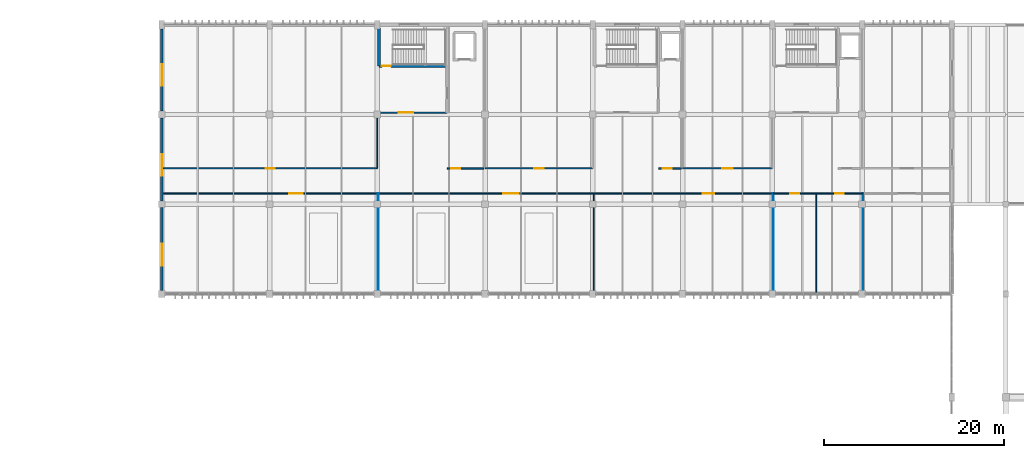
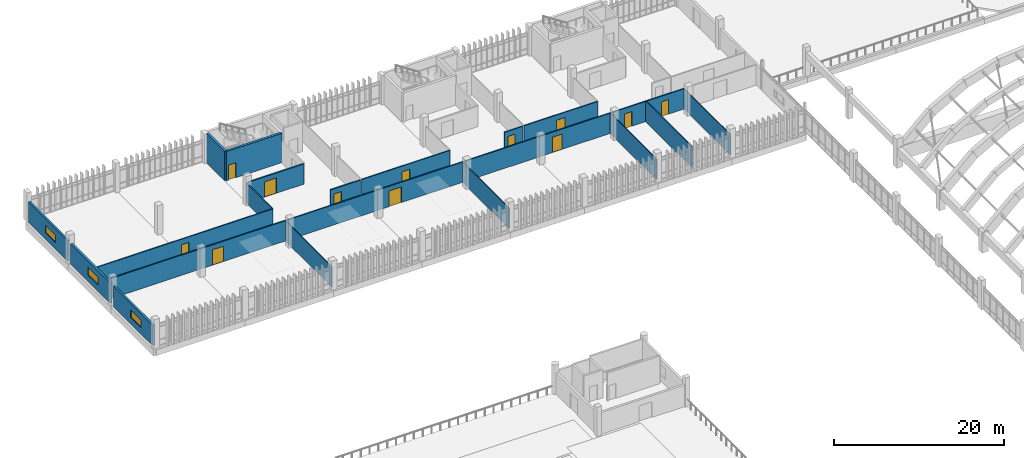
# One storey, part 104 of 111: 22 walls, 12 doors, 3 windows, 15 openings.
"""IFC4 building model written with IfcOpenShell, lengths in metres."""

import ifcopenshell
import ifcopenshell.guid

model = None  # the IFC model being written
_history = None  # IfcOwnerHistory: only IFC2X3 demands one
_inside = {}  # id of a spatial element -> (the spatial element, [elements in it])
_under = {}  # id of a project, library or spatial element -> (it, [spatial elements below it])
_declared = {}  # id of a project -> (the project, [libraries it declares])
_typed = {}  # id of a type object -> (the type object, [elements of that type])
_made_of = {}  # id of a material, layer set ... -> (it, [elements and type objects made of it])


def new_model(schema):
    """Start an empty IFC model of exactly this schema.

    Asked for "IFC4X3", IfcOpenShell would pick the latest addendum, in which some entities
    have other attributes; the version numbers below select the first issue.
    IFC2X3 requires an IfcOwnerHistory on every rooted entity: one is made here for all.
    """
    global model, _history
    if schema == "IFC4X3":
        model = ifcopenshell.file(schema_version=(4, 3, 0, 0))
    else:
        model = ifcopenshell.file(schema=schema)
    _inside.clear()
    _under.clear()
    _declared.clear()
    _typed.clear()
    _made_of.clear()
    _history = None
    if model.schema == "IFC2X3":
        org = make("IfcOrganization", Name="unknown")
        user = make(
            "IfcPersonAndOrganization",
            ThePerson=make("IfcPerson", FamilyName="unknown"),
            TheOrganization=org,
        )
        app = make(
            "IfcApplication",
            ApplicationDeveloper=org,
            Version="unknown",
            ApplicationFullName="unknown",
            ApplicationIdentifier="unknown",
        )
        _history = make(
            "IfcOwnerHistory",
            OwningUser=user,
            OwningApplication=app,
            ChangeAction="ADDED",
            CreationDate=0,
        )
    return model


def make(cls, **values):
    """One entity of the class cls with the attributes given. An attribute that is None is left unset."""
    return model.create_entity(
        cls, **{name: value for name, value in values.items() if value is not None}
    )


def rooted(cls, **values):
    """An entity with a GlobalId (a new one), such as an element, a storey or a relation."""
    return make(cls, GlobalId=ifcopenshell.guid.new(), OwnerHistory=_history, **values)


def si_unit(unit_type, name, prefix=None):
    """IfcSIUnit, for example si_unit("LENGTHUNIT", "METRE", prefix="MILLI")."""
    return make("IfcSIUnit", UnitType=unit_type, Prefix=prefix, Name=name)


def assignment(units):
    """IfcUnitAssignment: the units of a project."""
    return None if units is None else make("IfcUnitAssignment", Units=units)


def point(xyz):
    """IfcCartesianPoint."""
    return None if xyz is None else make("IfcCartesianPoint", Coordinates=xyz)


def direction(xyz):
    """IfcDirection."""
    return None if xyz is None else make("IfcDirection", DirectionRatios=xyz)


def frame(location, z_axis=None, x_axis=None):
    """IfcAxis2Placement3D, a coordinate frame: its origin and axes. An axis left out is left unset."""
    return make(
        "IfcAxis2Placement3D",
        Location=point(location),
        Axis=direction(z_axis),
        RefDirection=direction(x_axis),
    )


def frame_2d(location, x_axis=None):
    """IfcAxis2Placement2D, a coordinate frame in the plane: its origin and x axis."""
    return make(
        "IfcAxis2Placement2D", Location=point(location), RefDirection=direction(x_axis)
    )


def origin():
    """The frame at (0, 0, 0) with its axes left unset."""
    return frame((0.0, 0.0, 0.0))


def place(relative_to, where):
    """IfcLocalPlacement: puts the frame where relative to a parent placement (None: the world)."""
    return make(
        "IfcLocalPlacement", PlacementRelTo=relative_to, RelativePlacement=where
    )


def context(
    kind, dimensions, precision=None, world=None, true_north=None, identifier=None
):
    """IfcGeometricRepresentationContext, for example the 3D "Model" context."""
    return make(
        "IfcGeometricRepresentationContext",
        ContextIdentifier=identifier,
        ContextType=kind,
        CoordinateSpaceDimension=dimensions,
        Precision=precision,
        WorldCoordinateSystem=world,
        TrueNorth=true_north,
    )


def subcontext(parent, identifier, kind, view, scale=None):
    """IfcGeometricRepresentationSubContext, for example "Body" below "Model"."""
    return make(
        "IfcGeometricRepresentationSubContext",
        ContextIdentifier=identifier,
        ContextType=kind,
        ParentContext=parent,
        TargetScale=scale,
        TargetView=view,
    )


def project(units=None, contexts=None):
    """IfcProject with its units and contexts."""
    return rooted(
        "IfcProject",
        Name="project",
        RepresentationContexts=contexts,
        UnitsInContext=assignment(units),
    )


def spatial(cls, under=None, at=None, **own):
    """A site, building, storey or space (cls), placed at a placement, below another one or the project."""
    s = rooted(cls, ObjectPlacement=at, **own)
    if under is not None:
        _under.setdefault(under.id(), (under, []))[1].append(s)
    return s


def profile(cls, at=None, kind="AREA", **sizes):
    """A parametric profile (cls). Its sizes go by their IFC names, for example OverallWidth=200.0."""
    return make(cls, ProfileType=kind, Position=at, **sizes)


def rectangle(**sizes):
    """IfcRectangleProfileDef."""
    return profile("IfcRectangleProfileDef", **sizes)


def extrude(swept, where, along, depth):
    """IfcExtrudedAreaSolid: the profile swept, set in the frame where, extruded along a direction by depth."""
    return make(
        "IfcExtrudedAreaSolid",
        SweptArea=swept,
        Position=where,
        ExtrudedDirection=direction(along),
        Depth=depth,
    )


def shape(context_of_items, identifier, shape_type, items):
    """IfcShapeRepresentation: the items that make up one representation, for example the "Body"."""
    return make(
        "IfcShapeRepresentation",
        ContextOfItems=context_of_items,
        RepresentationIdentifier=identifier,
        RepresentationType=shape_type,
        Items=items,
    )


def material(Name=None, Category=None):
    """IfcMaterial."""
    return make("IfcMaterial", Name=Name, Category=Category)


def layer(
    of_material, thickness, ventilated=None, Name=None, Category=None, Priority=None
):
    """IfcMaterialLayer: one layer of a wall or slab, of a material (None: an air gap)."""
    return make(
        "IfcMaterialLayer",
        Material=of_material,
        LayerThickness=thickness,
        IsVentilated=ventilated,
        Name=Name,
        Category=Category,
        Priority=Priority,
    )


def layer_set(layers, Name=None):
    """IfcMaterialLayerSet."""
    return make("IfcMaterialLayerSet", MaterialLayers=layers, LayerSetName=Name)


def made_of(thing, what):
    """Note that an element or type object is made of a material, layer set ...; save() writes the relation."""
    if what is not None:
        _made_of.setdefault(what.id(), (what, []))[1].append(thing)
    return thing


def type_object(cls, material=None, **own):
    """A type object (cls), such as IfcWallType, which elements share."""
    return made_of(rooted(cls, **own), material)


def element(
    cls,
    number,
    at=None,
    inside=None,
    cuts=None,
    type_object=None,
    material=None,
    context=None,
    identifier="Body",
    shape_type=None,
    held_by="IfcProductDefinitionShape",
    body=None,
    shapes=None,
    **own,
):
    """One element of the class cls, such as IfcWall. Its Tag is "e" and its number.

    at: its placement. inside: the storey or other place that contains it. cuts: it is an
    opening in that element (IfcRelVoidsElement). A single representation is given by context,
    identifier, shape_type and body (its items); several are given by shapes. held_by: the class
    of the entity that holds the representations. save() writes the other relations.
    """
    e = rooted(cls, Tag="e%d" % number, ObjectPlacement=at, **own)
    if body is not None:
        shapes = [shape(context, identifier, shape_type, body)]
    if shapes is not None:
        e.Representation = make(held_by, Representations=shapes)
    if inside is not None:
        _inside.setdefault(inside.id(), (inside, []))[1].append(e)
    if cuts is not None:
        rooted(
            "IfcRelVoidsElement", RelatingBuildingElement=cuts, RelatedOpeningElement=e
        )
    if type_object is not None:
        _typed.setdefault(type_object.id(), (type_object, []))[1].append(e)
    return made_of(e, material)


def fill(opening, filler):
    """IfcRelFillsElement: the door or window that sits in an opening."""
    return rooted(
        "IfcRelFillsElement",
        RelatingOpeningElement=opening,
        RelatedBuildingElement=filler,
    )


def aggregate(whole, parts):
    """IfcRelAggregates: a whole, such as a stair, and the parts it consists of."""
    return rooted("IfcRelAggregates", RelatingObject=whole, RelatedObjects=parts)


def save(model, path):
    """Write the relations noted so far, then the file.

    IfcRelAggregates (storeys below a building ...), IfcRelContainedInSpatialStructure (elements
    in a storey), IfcRelDefinesByType, IfcRelAssociatesMaterial and IfcRelDeclares: one each for
    every whole, place, type object, material and project.
    """
    for whole, parts in _under.values():
        aggregate(whole, parts)
    for where, things in _inside.values():
        rooted(
            "IfcRelContainedInSpatialStructure",
            RelatedElements=things,
            RelatingStructure=where,
        )
    for kind, things in _typed.values():
        rooted("IfcRelDefinesByType", RelatedObjects=things, RelatingType=kind)
    for what, things in _made_of.values():
        rooted("IfcRelAssociatesMaterial", RelatedObjects=things, RelatingMaterial=what)
    for by, libraries in _declared.values():
        rooted("IfcRelDeclares", RelatingContext=by, RelatedDefinitions=libraries)
    model.write(path)


model = new_model("IFC4")

# Units and contexts
model_context = context("Model", 3, precision=1e-05, world=origin(), true_north=direction((0.0, 1.0)))
body_context = subcontext(model_context, "Body", "Model", "MODEL_VIEW")
ifc_project = project(units=[si_unit("LENGTHUNIT", "METRE"), si_unit("AREAUNIT", "SQUARE_METRE"), si_unit("VOLUMEUNIT", "CUBIC_METRE"), si_unit("PLANEANGLEUNIT", "RADIAN"), si_unit("MASSUNIT", "GRAM", prefix="KILO")], contexts=[model_context])

# Site, building, storey
site_placement = place(None, origin())
site = spatial("IfcSite", under=ifc_project, at=site_placement, CompositionType="ELEMENT")
building_placement = place(site_placement, origin())
building = spatial("IfcBuilding", under=site, at=building_placement, Name="Mersad Railyard Sports Hall", CompositionType="ELEMENT")
storey_placement = place(building_placement, frame((0.0, 0.0, 9.0)))
storey = spatial("IfcBuildingStorey", under=building, at=storey_placement, Name="L02", CompositionType="ELEMENT", Elevation=9.0)

# Wall, opening, window
ifc_material_1 = material(Name="Precast concrete C45/55", Category="concrete")
ifc_layer_1 = layer(ifc_material_1, 0.280029296875)
ifc_layer_set_1 = layer_set([ifc_layer_1], Name="Precast concrete C45/55")
wall_type_1 = type_object("IfcWallType", Name="ARC-WL-EW03", PredefinedType="SOLIDWALL", material=ifc_layer_set_1)
wall_1_placement = place(storey_placement, frame((43.0, 85.375, 0.0), z_axis=(0.0, 0.0, 1.0), x_axis=(0.0, 1.0, 0.0)))
wall_1 = element("IfcWall", 1, at=wall_1_placement, inside=storey, type_object=wall_type_1, Name="External wall EW03-0123", PredefinedType="SOLIDWALL", context=body_context, shape_type="SweptSolid", body=[
    extrude(rectangle(XDim=9.25, YDim=0.280029296875, at=frame_2d((4.625, 0.0))), origin(), (0.0, 0.0, 1.0), 2.905029296875),
])
opening_1_placement = place(wall_1_placement, frame((2.800048828125, 0.0, 0.89990234375)))
opening_1 = element("IfcOpeningElement", 2, at=opening_1_placement, cuts=wall_1, Name="Opening W23", PredefinedType="OPENING", context=body_context, shape_type="SweptSolid", body=[
    extrude(rectangle(XDim=2.39990234375, YDim=1.10009765625, at=frame_2d((1.199951171875, 0.550048828125))), frame((0.0, 0.14990234375, 0.0), z_axis=(0.0, -1.0, 0.0), x_axis=(1.0, 0.0, 0.0)), (0.0, 0.0, 1.0), 0.300048828125),
])
ifc_material_2 = material(Name="Solar-control glass", Category="glass")
window_type = type_object("IfcWindowType", Name="ARC-WN-W23", PartitioningType="DOUBLE_PANEL_VERTICAL", PredefinedType="WINDOW", material=ifc_material_2)
window_1_placement = place(opening_1_placement, origin())
window_1 = element("IfcWindow", 3, at=window_1_placement, inside=storey, type_object=window_type, Name="Window W23-0040", OverallHeight=1.10009765625, OverallWidth=2.39990234375, PartitioningType="DOUBLE_PANEL_VERTICAL", PredefinedType="WINDOW", context=body_context, shape_type="SweptSolid", body=[
    extrude(rectangle(XDim=2.39990234375, YDim=1.10009765625, at=frame_2d((1.199951171875, 0.550048828125))), frame((0.0, 0.030029296875, 0.0), z_axis=(0.0, -1.0, 0.0), x_axis=(1.0, 0.0, 0.0)), (0.0, 0.0, 1.0), 0.06005859375),
])
fill(opening_1, window_1)

wall_2_placement = place(storey_placement, frame((43.0, 95.375, 0.0), z_axis=(0.0, 0.0, 1.0), x_axis=(0.0, 1.0, 0.0)))
wall_2 = element("IfcWall", 4, at=wall_2_placement, inside=storey, type_object=wall_type_1, Name="External wall EW03-0124", PredefinedType="SOLIDWALL", context=body_context, shape_type="SweptSolid", body=[
    extrude(rectangle(XDim=9.25, YDim=0.280029296875, at=frame_2d((4.625, 0.0))), origin(), (0.0, 0.0, 1.0), 2.905029296875),
])
opening_2_placement = place(wall_2_placement, frame((2.800048828125, 0.0, 0.89990234375)))
opening_2 = element("IfcOpeningElement", 5, at=opening_2_placement, cuts=wall_2, Name="Opening W23", PredefinedType="OPENING", context=body_context, shape_type="SweptSolid", body=[
    extrude(rectangle(XDim=2.39990234375, YDim=1.10009765625, at=frame_2d((1.199951171875, 0.550048828125))), frame((0.0, 0.14990234375, 0.0), z_axis=(0.0, -1.0, 0.0), x_axis=(1.0, 0.0, 0.0)), (0.0, 0.0, 1.0), 0.300048828125),
])
window_2_placement = place(opening_2_placement, origin())
window_2 = element("IfcWindow", 6, at=window_2_placement, inside=storey, type_object=window_type, Name="Window W23-0041", OverallHeight=1.10009765625, OverallWidth=2.39990234375, PartitioningType="DOUBLE_PANEL_VERTICAL", PredefinedType="WINDOW", context=body_context, shape_type="SweptSolid", body=[
    extrude(rectangle(XDim=2.39990234375, YDim=1.10009765625, at=frame_2d((1.199951171875, 0.550048828125))), frame((0.0, 0.030029296875, 0.0), z_axis=(0.0, -1.0, 0.0), x_axis=(1.0, 0.0, 0.0)), (0.0, 0.0, 1.0), 0.06005859375),
])
fill(opening_2, window_2)

wall_3_placement = place(storey_placement, frame((43.0, 105.375, 0.0), z_axis=(0.0, 0.0, 1.0), x_axis=(0.0, 1.0, 0.0)))
wall_3 = element("IfcWall", 7, at=wall_3_placement, inside=storey, type_object=wall_type_1, Name="External wall EW03-0125", PredefinedType="SOLIDWALL", context=body_context, shape_type="SweptSolid", body=[
    extrude(rectangle(XDim=9.175048828125, YDim=0.280029296875, at=frame_2d((4.58740234375, 0.0))), origin(), (0.0, 0.0, 1.0), 2.905029296875),
])
opening_3_placement = place(wall_3_placement, frame((2.800048828125, 0.0, 0.89990234375)))
opening_3 = element("IfcOpeningElement", 8, at=opening_3_placement, cuts=wall_3, Name="Opening W23", PredefinedType="OPENING", context=body_context, shape_type="SweptSolid", body=[
    extrude(rectangle(XDim=2.39990234375, YDim=1.10009765625, at=frame_2d((1.199951171875, 0.550048828125))), frame((0.0, 0.14990234375, 0.0), z_axis=(0.0, -1.0, 0.0), x_axis=(1.0, 0.0, 0.0)), (0.0, 0.0, 1.0), 0.300048828125),
])
window_3_placement = place(opening_3_placement, origin())
window_3 = element("IfcWindow", 9, at=window_3_placement, inside=storey, type_object=window_type, Name="Window W23-0042", OverallHeight=1.10009765625, OverallWidth=2.39990234375, PartitioningType="DOUBLE_PANEL_VERTICAL", PredefinedType="WINDOW", context=body_context, shape_type="SweptSolid", body=[
    extrude(rectangle(XDim=2.39990234375, YDim=1.10009765625, at=frame_2d((1.199951171875, 0.550048828125))), frame((0.0, 0.030029296875, 0.0), z_axis=(0.0, -1.0, 0.0), x_axis=(1.0, 0.0, 0.0)), (0.0, 0.0, 1.0), 0.06005859375),
])
fill(opening_3, window_3)

# Wall, opening, door
ifc_layer_2 = layer(ifc_material_1, 0.199951171875)
ifc_layer_set_2 = layer_set([ifc_layer_2], Name="Precast concrete C45/55")
wall_type_2 = type_object("IfcWallType", Name="ARC-WL-PT01", PredefinedType="PARTITIONING", material=ifc_layer_set_2)
wall_4_placement = place(storey_placement, frame((67.199951171875, 105.199951171875, 0.0), z_axis=(0.0, 0.0, 1.0), x_axis=(1.0, 0.0, 0.0)))
wall_4 = element("IfcWall", 10, at=wall_4_placement, inside=storey, type_object=wall_type_2, Name="Interior wall PT01-0172", PredefinedType="PARTITIONING", context=body_context, shape_type="SweptSolid", body=[
    extrude(rectangle(XDim=7.550048828125, YDim=0.199951171875, at=frame_2d((3.77490234375, 0.0))), origin(), (0.0, 0.0, 1.0), 2.905029296875),
])
opening_4_placement = place(wall_4_placement, frame((2.199951171875, 0.0, 0.0)))
opening_4 = element("IfcOpeningElement", 11, at=opening_4_placement, cuts=wall_4, Name="Opening FD04", PredefinedType="OPENING", context=body_context, shape_type="SweptSolid", body=[
    extrude(rectangle(XDim=1.60009765625, YDim=2.199951171875, at=frame_2d((0.800048828125, 1.10009765625))), frame((0.0, 0.10986328125, 0.0), z_axis=(0.0, -1.0, 0.0), x_axis=(1.0, 0.0, 0.0)), (0.0, 0.0, 1.0), 0.219970703125),
])
ifc_material_3 = material(Name="Steel S355", Category="steel")
door_type_1 = type_object("IfcDoorType", Name="ARC-DR-FD04", OperationType="NOTDEFINED", PredefinedType="DOOR", material=ifc_material_3)
door_1_placement = place(opening_4_placement, origin())
door_1 = element("IfcDoor", 12, at=door_1_placement, inside=storey, type_object=door_type_1, Name="C1 firefighting lobby door FD04-0054", OperationType="DOUBLE_DOOR_SINGLE_SWING", OverallHeight=2.199951171875, OverallWidth=1.60009765625, PredefinedType="DOOR", context=body_context, shape_type="SweptSolid", body=[
    extrude(rectangle(XDim=1.60009765625, YDim=2.199951171875, at=frame_2d((0.800048828125, 1.10009765625))), frame((0.0, 0.02490234375, 0.0), z_axis=(0.0, -1.0, 0.0), x_axis=(1.0, 0.0, 0.0)), (0.0, 0.0, 1.0), 0.050048828125),
])
fill(opening_4, door_1)

ifc_material_4 = material(Name="Gypsum plasterboard", Category="gypsum")
ifc_layer_3 = layer(ifc_material_4, 0.159912109375)
ifc_layer_set_3 = layer_set([ifc_layer_3], Name="Gypsum plasterboard")
wall_type_3 = type_object("IfcWallType", Name="ARC-WL-PT02", PredefinedType="PARTITIONING", material=ifc_layer_set_3)
wall_5_placement = place(storey_placement, frame((74.800048828125, 99.0, 0.0), z_axis=(0.0, 0.0, 1.0), x_axis=(1.0, 0.0, 0.0)))
wall_5 = element("IfcWall", 13, at=wall_5_placement, inside=storey, type_object=wall_type_3, Name="Interior wall PT02-0174", PredefinedType="PARTITIONING", context=body_context, shape_type="SweptSolid", body=[
    extrude(rectangle(XDim=4.050048828125, YDim=0.159912109375, at=frame_2d((2.02490234375, 0.0))), origin(), (0.0, 0.0, 1.0), 2.905029296875),
])
opening_5_placement = place(wall_5_placement, frame((0.449951171875, 0.0, 0.0)))
opening_5 = element("IfcOpeningElement", 14, at=opening_5_placement, cuts=wall_5, Name="Opening FD02", PredefinedType="OPENING", context=body_context, shape_type="SweptSolid", body=[
    extrude(rectangle(XDim=1.0, YDim=2.14990234375, at=frame_2d((0.5, 1.074951171875))), frame((0.0, 0.08984375, 0.0), z_axis=(0.0, -1.0, 0.0), x_axis=(1.0, 0.0, 0.0)), (0.0, 0.0, 1.0), 0.179931640625),
])
door_type_2 = type_object("IfcDoorType", Name="ARC-DR-FD02", OperationType="NOTDEFINED", PredefinedType="DOOR", material=ifc_material_3)
door_2_placement = place(opening_5_placement, origin())
door_2 = element("IfcDoor", 15, at=door_2_placement, inside=storey, type_object=door_type_2, Name="C1 lift lobby corridor door FD02-0056", OperationType="SINGLE_SWING_RIGHT", OverallHeight=2.14990234375, OverallWidth=1.0, PredefinedType="DOOR", context=body_context, shape_type="SweptSolid", body=[
    extrude(rectangle(XDim=1.0, YDim=2.14990234375, at=frame_2d((0.5, 1.074951171875))), frame((0.0, 0.02490234375, 0.0), z_axis=(0.0, -1.0, 0.0), x_axis=(1.0, 0.0, 0.0)), (0.0, 0.0, 1.0), 0.050048828125),
])
fill(opening_5, door_2)

wall_6_placement = place(storey_placement, frame((98.35009765625, 99.0, 0.0), z_axis=(0.0, 0.0, 1.0), x_axis=(1.0, 0.0, 0.0)))
wall_6 = element("IfcWall", 16, at=wall_6_placement, inside=storey, type_object=wall_type_3, Name="Interior wall PT02-0216", PredefinedType="PARTITIONING", context=body_context, shape_type="SweptSolid", body=[
    extrude(rectangle(XDim=2.5, YDim=0.159912109375, at=frame_2d((1.25, 0.0))), origin(), (0.0, 0.0, 1.0), 2.905029296875),
])
opening_6_placement = place(wall_6_placement, frame((0.449951171875, 0.0, 0.0)))
opening_6 = element("IfcOpeningElement", 17, at=opening_6_placement, cuts=wall_6, Name="Opening FD02", PredefinedType="OPENING", context=body_context, shape_type="SweptSolid", body=[
    extrude(rectangle(XDim=1.0, YDim=2.14990234375, at=frame_2d((0.5, 1.074951171875))), frame((0.0, 0.08984375, 0.0), z_axis=(0.0, -1.0, 0.0), x_axis=(1.0, 0.0, 0.0)), (0.0, 0.0, 1.0), 0.179931640625),
])
door_3_placement = place(opening_6_placement, origin())
door_3 = element("IfcDoor", 18, at=door_3_placement, inside=storey, type_object=door_type_2, Name="C2 lift lobby corridor door FD02-0084", OperationType="SINGLE_SWING_LEFT", OverallHeight=2.14990234375, OverallWidth=1.0, PredefinedType="DOOR", context=body_context, shape_type="SweptSolid", body=[
    extrude(rectangle(XDim=1.0, YDim=2.14990234375, at=frame_2d((0.5, 1.074951171875))), frame((0.0, 0.02490234375, 0.0), z_axis=(0.0, -1.0, 0.0), x_axis=(1.0, 0.0, 0.0)), (0.0, 0.0, 1.0), 0.050048828125),
])
fill(opening_6, door_3)

wall_7_placement = place(storey_placement, frame((43.179931640625, 96.199951171875, 0.0), z_axis=(0.0, 0.0, 1.0), x_axis=(1.0, 0.0, 0.0)))
wall_7 = element("IfcWall", 19, at=wall_7_placement, inside=storey, type_object=wall_type_3, Name="Interior wall PT02-0456", PredefinedType="PARTITIONING", context=body_context, shape_type="SweptSolid", body=[
    extrude(rectangle(XDim=23.920166015625, YDim=0.159912109375, at=frame_2d((11.9599609375, 0.0))), origin(), (0.0, 0.0, 1.0), 2.905029296875),
])
opening_7_placement = place(wall_7_placement, frame((14.010009765625, 0.0, 0.0)))
opening_7 = element("IfcOpeningElement", 20, at=opening_7_placement, cuts=wall_7, Name="Opening FD10", PredefinedType="OPENING", context=body_context, shape_type="SweptSolid", body=[
    extrude(rectangle(XDim=1.5, YDim=2.199951171875, at=frame_2d((0.75, 1.10009765625))), frame((0.0, 0.08984375, 0.0), z_axis=(0.0, -1.0, 0.0), x_axis=(1.0, 0.0, 0.0)), (0.0, 0.0, 1.0), 0.179931640625),
])
door_type_3 = type_object("IfcDoorType", Name="ARC-DR-FD10", OperationType="NOTDEFINED", PredefinedType="DOOR", material=ifc_material_3)
door_4_placement = place(opening_7_placement, origin())
door_4 = element("IfcDoor", 21, at=door_4_placement, inside=storey, type_object=door_type_3, Name="L02 south room door FD10-0204", OperationType="DOUBLE_DOOR_SINGLE_SWING", OverallHeight=2.199951171875, OverallWidth=1.5, PredefinedType="DOOR", context=body_context, shape_type="SweptSolid", body=[
    extrude(rectangle(XDim=1.5, YDim=2.199951171875, at=frame_2d((0.75, 1.10009765625))), frame((0.0, 0.02490234375, 0.0), z_axis=(0.0, -1.0, 0.0), x_axis=(1.0, 0.0, 0.0)), (0.0, 0.0, 1.0), 0.050048828125),
])
fill(opening_7, door_4)

wall_8_placement = place(storey_placement, frame((67.10009765625, 96.199951171875, 0.0), z_axis=(0.0, 0.0, 1.0), x_axis=(1.0, 0.0, 0.0)))
wall_8 = element("IfcWall", 22, at=wall_8_placement, inside=storey, type_object=wall_type_3, Name="Interior wall PT02-0457", PredefinedType="PARTITIONING", context=body_context, shape_type="SweptSolid", body=[
    extrude(rectangle(XDim=24.0, YDim=0.159912109375, at=frame_2d((12.0, 0.0))), origin(), (0.0, 0.0, 1.0), 2.905029296875),
])
opening_8_placement = place(wall_8_placement, frame((13.949951171875, 0.0, 0.0)))
opening_8 = element("IfcOpeningElement", 23, at=opening_8_placement, cuts=wall_8, Name="Opening FD11", PredefinedType="OPENING", context=body_context, shape_type="SweptSolid", body=[
    extrude(rectangle(XDim=1.699951171875, YDim=2.25, at=frame_2d((0.85009765625, 1.125))), frame((0.0, 0.08984375, 0.0), z_axis=(0.0, -1.0, 0.0), x_axis=(1.0, 0.0, 0.0)), (0.0, 0.0, 1.0), 0.179931640625),
])
door_type_4 = type_object("IfcDoorType", Name="ARC-DR-FD11", OperationType="NOTDEFINED", PredefinedType="DOOR", material=ifc_material_3)
door_5_placement = place(opening_8_placement, origin())
door_5 = element("IfcDoor", 24, at=door_5_placement, inside=storey, type_object=door_type_4, Name="L02 south room door FD11-0205", OperationType="DOUBLE_DOOR_SINGLE_SWING", OverallHeight=2.25, OverallWidth=1.699951171875, PredefinedType="DOOR", context=body_context, shape_type="SweptSolid", body=[
    extrude(rectangle(XDim=1.699951171875, YDim=2.25, at=frame_2d((0.85009765625, 1.125))), frame((0.0, 0.02490234375, 0.0), z_axis=(0.0, -1.0, 0.0), x_axis=(1.0, 0.0, 0.0)), (0.0, 0.0, 1.0), 0.050048828125),
])
fill(opening_8, door_5)

wall_9_placement = place(storey_placement, frame((91.10009765625, 96.199951171875, 0.0), z_axis=(0.0, 0.0, 1.0), x_axis=(1.0, 0.0, 0.0)))
wall_9 = element("IfcWall", 25, at=wall_9_placement, inside=storey, type_object=wall_type_3, Name="Interior wall PT02-0459", PredefinedType="PARTITIONING", context=body_context, shape_type="SweptSolid", body=[
    extrude(rectangle(XDim=20.0, YDim=0.159912109375, at=frame_2d((10.0, 0.0))), origin(), (0.0, 0.0, 1.0), 2.905029296875),
])
opening_9_placement = place(wall_9_placement, frame((12.14990234375, 0.0, 0.0)))
opening_9 = element("IfcOpeningElement", 26, at=opening_9_placement, cuts=wall_9, Name="Opening FD03", PredefinedType="OPENING", context=body_context, shape_type="SweptSolid", body=[
    extrude(rectangle(XDim=1.300048828125, YDim=2.199951171875, at=frame_2d((0.64990234375, 1.10009765625))), frame((0.0, 0.08984375, 0.0), z_axis=(0.0, -1.0, 0.0), x_axis=(1.0, 0.0, 0.0)), (0.0, 0.0, 1.0), 0.179931640625),
])
door_type_5 = type_object("IfcDoorType", Name="ARC-DR-FD03", OperationType="NOTDEFINED", PredefinedType="DOOR", material=ifc_material_3)
door_6_placement = place(opening_9_placement, origin())
door_6 = element("IfcDoor", 27, at=door_6_placement, inside=storey, type_object=door_type_5, Name="L02 south room door FD03-0206", OperationType="SINGLE_SWING_LEFT", OverallHeight=2.199951171875, OverallWidth=1.300048828125, PredefinedType="DOOR", context=body_context, shape_type="SweptSolid", body=[
    extrude(rectangle(XDim=1.300048828125, YDim=2.199951171875, at=frame_2d((0.64990234375, 1.10009765625))), frame((0.0, 0.02490234375, 0.0), z_axis=(0.0, -1.0, 0.0), x_axis=(1.0, 0.0, 0.0)), (0.0, 0.0, 1.0), 0.050048828125),
])
fill(opening_9, door_6)

wall_10_placement = place(storey_placement, frame((111.10009765625, 96.199951171875, 0.0), z_axis=(0.0, 0.0, 1.0), x_axis=(1.0, 0.0, 0.0)))
wall_10 = element("IfcWall", 28, at=wall_10_placement, inside=storey, type_object=wall_type_3, Name="Interior wall PT02-0461", PredefinedType="PARTITIONING", context=body_context, shape_type="SweptSolid", body=[
    extrude(rectangle(XDim=4.7998046875, YDim=0.159912109375, at=frame_2d((2.39990234375, 0.0))), origin(), (0.0, 0.0, 1.0), 2.905029296875),
])
opening_10_placement = place(wall_10_placement, frame((1.89990234375, 0.0, 0.0)))
opening_10 = element("IfcOpeningElement", 29, at=opening_10_placement, cuts=wall_10, Name="Opening FD06", PredefinedType="OPENING", context=body_context, shape_type="SweptSolid", body=[
    extrude(rectangle(XDim=0.97998046875, YDim=2.10009765625, at=frame_2d((0.489990234375, 1.050048828125))), frame((0.0, 0.08984375, 0.0), z_axis=(0.0, -1.0, 0.0), x_axis=(1.0, 0.0, 0.0)), (0.0, 0.0, 1.0), 0.179931640625),
])
door_type_6 = type_object("IfcDoorType", Name="ARC-DR-FD06", OperationType="NOTDEFINED", PredefinedType="DOOR", material=ifc_material_3)
door_7_placement = place(opening_10_placement, origin())
door_7 = element("IfcDoor", 30, at=door_7_placement, inside=storey, type_object=door_type_6, Name="L02 south room door FD06-0207", OperationType="SINGLE_SWING_RIGHT", OverallHeight=2.10009765625, OverallWidth=0.97998046875, PredefinedType="DOOR", context=body_context, shape_type="SweptSolid", body=[
    extrude(rectangle(XDim=0.97998046875, YDim=2.10009765625, at=frame_2d((0.489990234375, 1.050048828125))), frame((0.0, 0.02490234375, 0.0), z_axis=(0.0, -1.0, 0.0), x_axis=(1.0, 0.0, 0.0)), (0.0, 0.0, 1.0), 0.050048828125),
])
fill(opening_10, door_7)

wall_11_placement = place(storey_placement, frame((115.89990234375, 96.199951171875, 0.0), z_axis=(0.0, 0.0, 1.0), x_axis=(1.0, 0.0, 0.0)))
wall_11 = element("IfcWall", 31, at=wall_11_placement, inside=storey, type_object=wall_type_3, Name="Interior wall PT02-0463", PredefinedType="PARTITIONING", context=body_context, shape_type="SweptSolid", body=[
    extrude(rectangle(XDim=5.2001953125, YDim=0.159912109375, at=frame_2d((2.60009765625, 0.0))), origin(), (0.0, 0.0, 1.0), 2.905029296875),
])
opening_11_placement = place(wall_11_placement, frame((2.10009765625, 0.0, 0.0)))
opening_11 = element("IfcOpeningElement", 32, at=opening_11_placement, cuts=wall_11, Name="Opening FD06", PredefinedType="OPENING", context=body_context, shape_type="SweptSolid", body=[
    extrude(rectangle(XDim=0.97998046875, YDim=2.10009765625, at=frame_2d((0.489990234375, 1.050048828125))), frame((0.0, 0.08984375, 0.0), z_axis=(0.0, -1.0, 0.0), x_axis=(1.0, 0.0, 0.0)), (0.0, 0.0, 1.0), 0.179931640625),
])
door_8_placement = place(opening_11_placement, origin())
door_8 = element("IfcDoor", 33, at=door_8_placement, inside=storey, type_object=door_type_6, Name="L02 south room door FD06-0208", OperationType="SINGLE_SWING_LEFT", OverallHeight=2.10009765625, OverallWidth=0.97998046875, PredefinedType="DOOR", context=body_context, shape_type="SweptSolid", body=[
    extrude(rectangle(XDim=0.97998046875, YDim=2.10009765625, at=frame_2d((0.489990234375, 1.050048828125))), frame((0.0, 0.02490234375, 0.0), z_axis=(0.0, -1.0, 0.0), x_axis=(1.0, 0.0, 0.0)), (0.0, 0.0, 1.0), 0.050048828125),
])
fill(opening_11, door_8)

ifc_layer_4 = layer(ifc_material_4, 0.139892578125)
ifc_layer_set_4 = layer_set([ifc_layer_4], Name="Gypsum plasterboard")
wall_type_4 = type_object("IfcWallType", Name="ARC-WL-PT03", PredefinedType="PARTITIONING", material=ifc_layer_set_4)
wall_12_placement = place(storey_placement, frame((43.179931640625, 99.0, 0.0), z_axis=(0.0, 0.0, 1.0), x_axis=(1.0, 0.0, 0.0)))
wall_12 = element("IfcWall", 34, at=wall_12_placement, inside=storey, type_object=wall_type_4, Name="Interior wall PT03-0467", PredefinedType="PARTITIONING", context=body_context, shape_type="SweptSolid", body=[
    extrude(rectangle(XDim=23.820068359375, YDim=0.139892578125, at=frame_2d((11.91015625, 0.0))), origin(), (0.0, 0.0, 1.0), 2.905029296875),
])
opening_12_placement = place(wall_12_placement, frame((11.419921875, 0.0, 0.0)))
opening_12 = element("IfcOpeningElement", 35, at=opening_12_placement, cuts=wall_12, Name="Opening FD06", PredefinedType="OPENING", context=body_context, shape_type="SweptSolid", body=[
    extrude(rectangle(XDim=0.97998046875, YDim=2.10009765625, at=frame_2d((0.489990234375, 1.050048828125))), frame((0.0, 0.079833984375, 0.0), z_axis=(0.0, -1.0, 0.0), x_axis=(1.0, 0.0, 0.0)), (0.0, 0.0, 1.0), 0.159912109375),
])
door_9_placement = place(opening_12_placement, origin())
door_9 = element("IfcDoor", 36, at=door_9_placement, inside=storey, type_object=door_type_6, Name="L02 north room door FD06-0210", OperationType="SINGLE_SWING_RIGHT", OverallHeight=2.10009765625, OverallWidth=0.97998046875, PredefinedType="DOOR", context=body_context, shape_type="SweptSolid", body=[
    extrude(rectangle(XDim=0.97998046875, YDim=2.10009765625, at=frame_2d((0.489990234375, 1.050048828125))), frame((0.0, 0.02490234375, 0.0), z_axis=(0.0, -1.0, 0.0), x_axis=(1.0, 0.0, 0.0)), (0.0, 0.0, 1.0), 0.050048828125),
])
fill(opening_12, door_9)

wall_13_placement = place(storey_placement, frame((79.0, 99.0, 0.0), z_axis=(0.0, 0.0, 1.0), x_axis=(1.0, 0.0, 0.0)))
wall_13 = element("IfcWall", 37, at=wall_13_placement, inside=storey, type_object=wall_type_4, Name="Interior wall PT03-0469", PredefinedType="PARTITIONING", context=body_context, shape_type="SweptSolid", body=[
    extrude(rectangle(XDim=12.0, YDim=0.139892578125, at=frame_2d((6.0, 0.0))), origin(), (0.0, 0.0, 1.0), 2.905029296875),
])
opening_13_placement = place(wall_13_placement, frame((5.47509765625, 0.0, 0.0)))
opening_13 = element("IfcOpeningElement", 38, at=opening_13_placement, cuts=wall_13, Name="Opening FD07", PredefinedType="OPENING", context=body_context, shape_type="SweptSolid", body=[
    extrude(rectangle(XDim=1.050048828125, YDim=2.10009765625, at=frame_2d((0.52490234375, 1.050048828125))), frame((0.0, 0.079833984375, 0.0), z_axis=(0.0, -1.0, 0.0), x_axis=(1.0, 0.0, 0.0)), (0.0, 0.0, 1.0), 0.159912109375),
])
door_type_7 = type_object("IfcDoorType", Name="ARC-DR-FD07", OperationType="NOTDEFINED", PredefinedType="DOOR", material=ifc_material_3)
door_10_placement = place(opening_13_placement, origin())
door_10 = element("IfcDoor", 39, at=door_10_placement, inside=storey, type_object=door_type_7, Name="L02 north room door FD07-0211", OperationType="SINGLE_SWING_LEFT", OverallHeight=2.10009765625, OverallWidth=1.050048828125, PredefinedType="DOOR", context=body_context, shape_type="SweptSolid", body=[
    extrude(rectangle(XDim=1.050048828125, YDim=2.10009765625, at=frame_2d((0.52490234375, 1.050048828125))), frame((0.0, 0.02490234375, 0.0), z_axis=(0.0, -1.0, 0.0), x_axis=(1.0, 0.0, 0.0)), (0.0, 0.0, 1.0), 0.050048828125),
])
fill(opening_13, door_10)

wall_14_placement = place(storey_placement, frame((101.0, 99.0, 0.0), z_axis=(0.0, 0.0, 1.0), x_axis=(1.0, 0.0, 0.0)))
wall_14 = element("IfcWall", 40, at=wall_14_placement, inside=storey, type_object=wall_type_4, Name="Interior wall PT03-0472", PredefinedType="PARTITIONING", context=body_context, shape_type="SweptSolid", body=[
    extrude(rectangle(XDim=10.0, YDim=0.139892578125, at=frame_2d((5.0, 0.0))), origin(), (0.0, 0.0, 1.0), 2.905029296875),
])
opening_14_placement = place(wall_14_placement, frame((4.425048828125, 0.0, 0.0)))
opening_14 = element("IfcOpeningElement", 41, at=opening_14_placement, cuts=wall_14, Name="Opening FD08", PredefinedType="OPENING", context=body_context, shape_type="SweptSolid", body=[
    extrude(rectangle(XDim=1.14990234375, YDim=2.14990234375, at=frame_2d((0.574951171875, 1.074951171875))), frame((0.0, 0.079833984375, 0.0), z_axis=(0.0, -1.0, 0.0), x_axis=(1.0, 0.0, 0.0)), (0.0, 0.0, 1.0), 0.159912109375),
])
door_type_8 = type_object("IfcDoorType", Name="ARC-DR-FD08", OperationType="NOTDEFINED", PredefinedType="DOOR", material=ifc_material_3)
door_11_placement = place(opening_14_placement, origin())
door_11 = element("IfcDoor", 42, at=door_11_placement, inside=storey, type_object=door_type_8, Name="L02 north room door FD08-0212", OperationType="SINGLE_SWING_RIGHT", OverallHeight=2.14990234375, OverallWidth=1.14990234375, PredefinedType="DOOR", context=body_context, shape_type="SweptSolid", body=[
    extrude(rectangle(XDim=1.14990234375, YDim=2.14990234375, at=frame_2d((0.574951171875, 1.074951171875))), frame((0.0, 0.02490234375, 0.0), z_axis=(0.0, -1.0, 0.0), x_axis=(1.0, 0.0, 0.0)), (0.0, 0.0, 1.0), 0.050048828125),
])
fill(opening_14, door_11)

# Walls
ifc_layer_5 = layer(ifc_material_4, 0.1201171875)
ifc_layer_set_5 = layer_set([ifc_layer_5], Name="Gypsum plasterboard")
wall_type_5 = type_object("IfcWallType", Name="ARC-WL-PT04", PredefinedType="PARTITIONING", material=ifc_layer_set_5)
wall_15_placement = place(storey_placement, frame((91.10009765625, 85.219970703125, 0.0), z_axis=(0.0, 0.0, 1.0), x_axis=(0.0, 1.0, 0.0)))
element("IfcWall", 43, at=wall_15_placement, inside=storey, type_object=wall_type_5, Name="Interior wall PT04-0460", PredefinedType="PARTITIONING", context=body_context, shape_type="SweptSolid", body=[
    extrude(rectangle(XDim=10.97998046875, YDim=0.1201171875, at=frame_2d((5.489990234375, 0.0))), origin(), (0.0, 0.0, 1.0), 2.905029296875),
])
wall_16_placement = place(storey_placement, frame((115.89990234375, 85.219970703125, 0.0), z_axis=(0.0, 0.0, 1.0), x_axis=(0.0, 1.0, 0.0)))
element("IfcWall", 44, at=wall_16_placement, inside=storey, type_object=wall_type_5, Name="Interior wall PT04-0464", PredefinedType="PARTITIONING", context=body_context, shape_type="SweptSolid", body=[
    extrude(rectangle(XDim=10.97998046875, YDim=0.1201171875, at=frame_2d((5.489990234375, 0.0))), origin(), (0.0, 0.0, 1.0), 3.0048828125),
])
wall_17_placement = place(storey_placement, frame((67.0, 99.0, 0.0), z_axis=(0.0, 0.0, 1.0), x_axis=(0.0, 1.0, 0.0)))
element("IfcWall", 45, at=wall_17_placement, inside=storey, type_object=wall_type_5, Name="Interior wall PT04-0468", PredefinedType="PARTITIONING", context=body_context, shape_type="SweptSolid", body=[
    extrude(rectangle(XDim=6.199951171875, YDim=0.1201171875, at=frame_2d((3.10009765625, 0.0))), origin(), (0.0, 0.0, 1.0), 2.905029296875),
])
ifc_layer_6 = layer(ifc_material_4, 0.10009765625)
ifc_layer_set_6 = layer_set([ifc_layer_6], Name="Gypsum plasterboard")
wall_type_6 = type_object("IfcWallType", Name="ARC-WL-PT05", PredefinedType="PARTITIONING", material=ifc_layer_set_6)
for number, where, z_axis, x_axis, name in (
    (46, (67.10009765625, 85.219970703125, 0.0), (0.0, 0.0, 1.0), (0.0, 1.0, 0.0), "Interior wall PT05-0458"),
    (47, (111.10009765625, 85.219970703125, 0.0), (0.0, 0.0, 1.0), (0.0, 1.0, 0.0), "Interior wall PT05-0462"),
    (48, (121.10009765625, 85.219970703125, 0.0), (0.0, 0.0, 1.0), (0.0, 1.0, 0.0), "Interior wall PT05-0466"),
):
    element("IfcWall", number, at=place(storey_placement, frame(where, z_axis=z_axis, x_axis=x_axis)), inside=storey, type_object=wall_type_6, Name=name, PredefinedType="PARTITIONING", context=body_context, shape_type="SweptSolid", body=[
        extrude(rectangle(XDim=10.97998046875, YDim=0.10009765625, at=frame_2d((5.489990234375, 0.0))), origin(), (0.0, 0.0, 1.0), 2.905029296875),
    ])

# Wall, opening, door
ifc_material_5 = material(Name="Concrete C40/50", Category="concrete")
ifc_layer_7 = layer(ifc_material_5, 0.320068359375)
ifc_layer_set_7 = layer_set([ifc_layer_7], Name="Concrete C40/50")
wall_type_7 = type_object("IfcWallType", Name="STR-WL-SW02", PredefinedType="SHEAR", material=ifc_layer_set_7)
wall_18_placement = place(storey_placement, frame((67.199951171875, 110.3798828125, 0.0), z_axis=(0.0, 0.0, 1.0), x_axis=(1.0, 0.0, 0.0)))
wall_18 = element("IfcWall", 49, at=wall_18_placement, inside=storey, type_object=wall_type_7, Name="Interior wall SW02-0169", PredefinedType="SHEAR", context=body_context, shape_type="SweptSolid", body=[
    extrude(rectangle(XDim=7.550048828125, YDim=0.320068359375, at=frame_2d((3.77490234375, 0.0))), origin(), (0.0, 0.0, 1.0), 4.199951171875),
])
opening_15_placement = place(wall_18_placement, frame((0.300048828125, 0.0, 0.0)))
opening_15 = element("IfcOpeningElement", 50, at=opening_15_placement, cuts=wall_18, Name="Opening FD02", PredefinedType="OPENING", context=body_context, shape_type="SweptSolid", body=[
    extrude(rectangle(XDim=1.0, YDim=2.14990234375, at=frame_2d((0.5, 1.074951171875))), frame((0.0, 0.169921875, 0.0), z_axis=(0.0, -1.0, 0.0), x_axis=(1.0, 0.0, 0.0)), (0.0, 0.0, 1.0), 0.340087890625),
])
door_12_placement = place(opening_15_placement, origin())
door_12 = element("IfcDoor", 51, at=door_12_placement, inside=storey, type_object=door_type_2, Name="C1 stair entrance door FD02-0053", OperationType="SINGLE_SWING_RIGHT", OverallHeight=2.14990234375, OverallWidth=1.0, PredefinedType="DOOR", context=body_context, shape_type="SweptSolid", body=[
    extrude(rectangle(XDim=1.0, YDim=2.14990234375, at=frame_2d((0.5, 1.074951171875))), frame((0.0, 0.02490234375, 0.0), z_axis=(0.0, -1.0, 0.0), x_axis=(1.0, 0.0, 0.0)), (0.0, 0.0, 1.0), 0.050048828125),
])
fill(opening_15, door_12)

# Wall
wall_19_placement = place(storey_placement, frame((67.199951171875, 114.6201171875, 0.0), z_axis=(0.0, 0.0, 1.0), x_axis=(0.0, -1.0, 0.0)))
element("IfcWall", 52, at=wall_19_placement, inside=storey, type_object=wall_type_7, Name="Interior wall SW02-0171", PredefinedType="SHEAR", context=body_context, shape_type="SweptSolid", body=[
    extrude(rectangle(XDim=4.240234375, YDim=0.320068359375, at=frame_2d((2.1201171875, 0.0))), origin(), (0.0, 0.0, 1.0), 4.199951171875),
])

save(model, "model.ifc")
